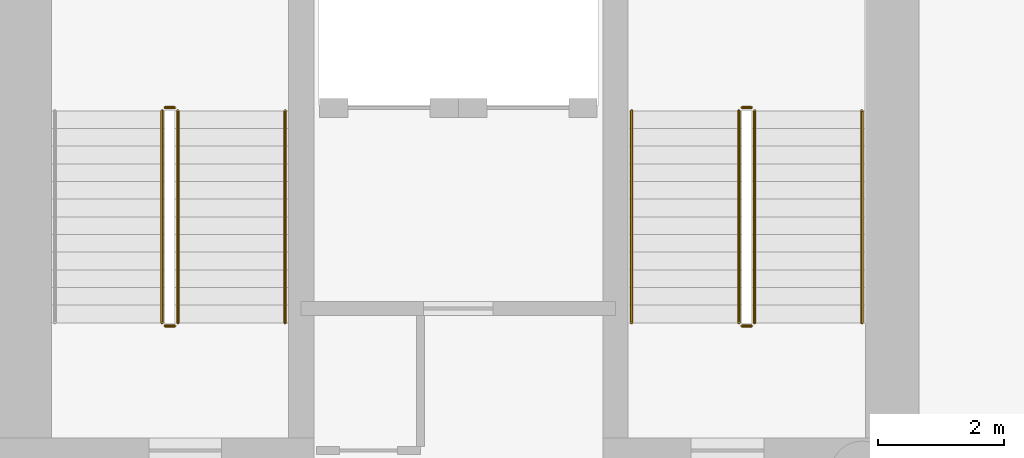
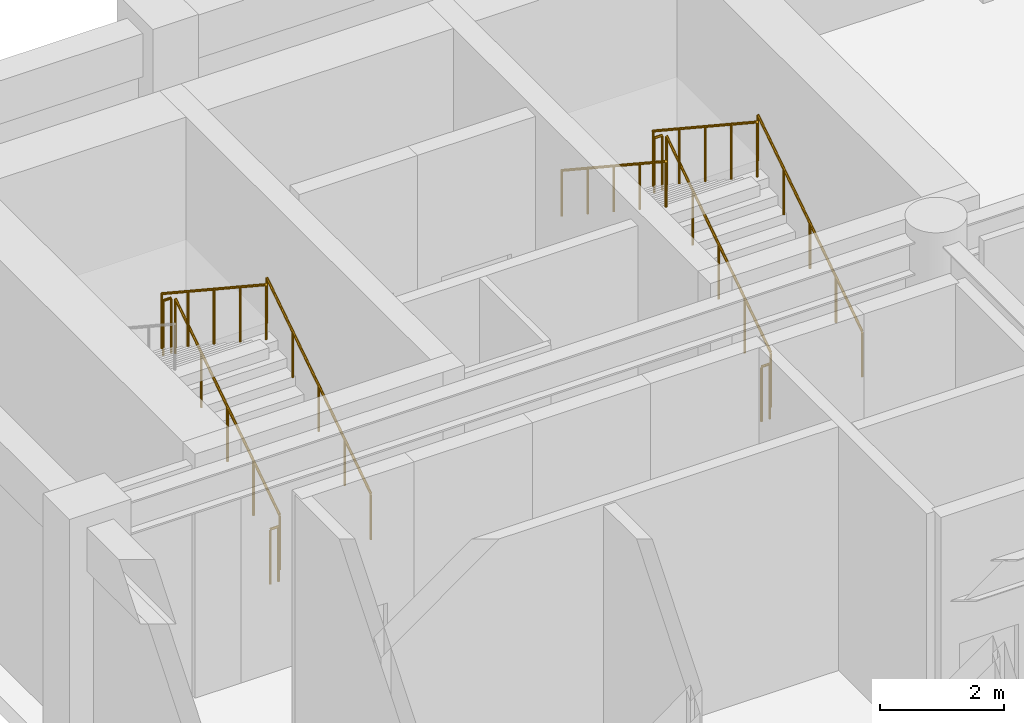
# One storey, part 9 of 10: 11 railings.
"""IFC4 building model written with IfcOpenShell, lengths in metres."""

from ifc_helpers import new_model, si_unit, direction, frame, origin, origin_2d, place, context, subcontext, project, spatial, circle, extrude, material, type_object, element, save


model = new_model("IFC4")

# Units and contexts
model_context = context("Model", 3, precision=1e-05, world=origin(), true_north=direction((0.0, 1.0)))
body_context = subcontext(model_context, "Body", "Model", "MODEL_VIEW")
ifc_project = project(units=[si_unit("LENGTHUNIT", "METRE"), si_unit("AREAUNIT", "SQUARE_METRE"), si_unit("VOLUMEUNIT", "CUBIC_METRE"), si_unit("PLANEANGLEUNIT", "RADIAN"), si_unit("MASSUNIT", "GRAM", prefix="KILO")], contexts=[model_context])

# Site, building, storey
site_placement = place(None, origin())
site = spatial("IfcSite", under=ifc_project, at=site_placement, CompositionType="ELEMENT")
building_placement = place(site_placement, origin())
building = spatial("IfcBuilding", under=site, at=building_placement, Name="Sulina Concourse Tower", CompositionType="ELEMENT")
storey_placement = place(building_placement, frame((0.0, 0.0, 87.800048828125)))
storey = spatial("IfcBuildingStorey", under=building, at=storey_placement, Name="L21", CompositionType="ELEMENT", Elevation=87.800048828125)

# Railings
ifc_material_1 = material(Name="Galvanised steel railing", Category="steel")
railing_type_1 = type_object("IfcRailingType", Name="Core Stair Steel Guardrail 1150mm", PredefinedType="GUARDRAIL", material=ifc_material_1)
railing_1_placement = place(storey_placement, frame((5.554931640625, 36.375, 0.1845703125)))
element("IfcRailing", 1, at=railing_1_placement, inside=storey, type_object=railing_type_1, Name="L21 ST-1 stair guard 1", PredefinedType="GUARDRAIL", context=body_context, shape_type="SweptSolid", body=[
    extrude(circle(Radius=0.02392578125, at=origin_2d()), frame((0.0, 0.0, 1.076171875), z_axis=(0.0, 0.834876476806, 0.550437342915), x_axis=(-1.0, 0.0, 0.0)), (0.0, 0.0, 1.0), 4.024658203125),
    extrude(circle(Radius=0.02099609375, at=origin_2d()), origin(), (0.0, 0.0, 1.0), 1.052001953125),
    extrude(circle(Radius=0.02099609375, at=origin_2d()), frame((0.0, 0.840087890625, 0.5537109375)), (0.0, 0.0, 1.0), 1.052001953125),
    extrude(circle(Radius=0.02099609375, at=origin_2d()), frame((0.0, 1.68017578125, 1.107666015625)), (0.0, 0.0, 1.0), 1.052001953125),
    extrude(circle(Radius=0.02099609375, at=origin_2d()), frame((0.0, 2.52001953125, 1.66162109375)), (0.0, 0.0, 1.0), 1.052001953125),
    extrude(circle(Radius=0.02099609375, at=origin_2d()), frame((0.0, 3.360107421875, 2.21533203125)), (0.0, 0.0, 1.0), 1.052001953125),
])
railing_2_placement = place(storey_placement, frame((5.5048828125, 39.784912109375, 2.39990234375)))
element("IfcRailing", 2, at=railing_2_placement, inside=storey, type_object=railing_type_1, Name="L21 ST-1 stair guard 2", PredefinedType="GUARDRAIL", context=body_context, shape_type="SweptSolid", body=[
    extrude(circle(Radius=0.02392578125, at=origin_2d()), frame((0.0, 0.0, 1.076171875), z_axis=(-1.0, 0.0, 0.0), x_axis=(0.0, -1.0, 0.0)), (0.0, 0.0, 1.0), 0.14990234375),
    extrude(circle(Radius=0.02099609375, at=origin_2d()), origin(), (0.0, 0.0, 1.0), 1.052001953125),
    extrude(circle(Radius=0.02099609375, at=origin_2d()), frame((-0.14990234375, 0.0, 0.0)), (0.0, 0.0, 1.0), 1.052001953125),
])
railing_3_placement = place(storey_placement, frame((5.304931640625, 39.735107421875, 2.58447265625)))
element("IfcRailing", 3, at=railing_3_placement, inside=storey, type_object=railing_type_1, Name="L21 ST-1 stair guard 3", PredefinedType="GUARDRAIL", context=body_context, shape_type="SweptSolid", body=[
    extrude(circle(Radius=0.02392578125, at=origin_2d()), frame((0.0, 0.0, 1.076171875), z_axis=(0.0, -0.834848600103, 0.550479622607), x_axis=(1.0, 0.0, 0.0)), (0.0, 0.0, 1.0), 4.02490234375),
    extrude(circle(Radius=0.02099609375, at=origin_2d()), origin(), (0.0, 0.0, 1.0), 1.052001953125),
    extrude(circle(Radius=0.02099609375, at=origin_2d()), frame((0.0, -0.840087890625, 0.553955078125)), (0.0, 0.0, 1.0), 1.052001953125),
    extrude(circle(Radius=0.02099609375, at=origin_2d()), frame((0.0, -1.68017578125, 1.10791015625)), (0.0, 0.0, 1.0), 1.052001953125),
    extrude(circle(Radius=0.02099609375, at=origin_2d()), frame((0.0, -2.52001953125, 1.66162109375)), (0.0, 0.0, 1.0), 1.052001953125),
    extrude(circle(Radius=0.02099609375, at=origin_2d()), frame((0.0, -3.360107421875, 2.215576171875)), (0.0, 0.0, 1.0), 1.052001953125),
])
railing_4_placement = place(storey_placement, frame((5.5048828125, 36.324951171875, 0.0)))
element("IfcRailing", 4, at=railing_4_placement, inside=storey, type_object=railing_type_1, Name="L21 ST-1 stair guard 4", PredefinedType="GUARDRAIL", context=body_context, shape_type="SweptSolid", body=[
    extrude(circle(Radius=0.02392578125, at=origin_2d()), frame((0.0, 0.0, 1.076171875), z_axis=(-1.0, 0.0, 0.0), x_axis=(0.0, -1.0, 0.0)), (0.0, 0.0, 1.0), 0.14990234375),
    extrude(circle(Radius=0.02099609375, at=origin_2d()), origin(), (0.0, 0.0, 1.0), 1.052001953125),
    extrude(circle(Radius=0.02099609375, at=origin_2d()), frame((-0.14990234375, 0.0, 0.0)), (0.0, 0.0, 1.0), 1.052001953125),
])
railing_5_placement = place(storey_placement, frame((14.695068359375, 36.375, 0.1845703125)))
element("IfcRailing", 5, at=railing_5_placement, inside=storey, type_object=railing_type_1, Name="L21 ST-2 stair guard 1", PredefinedType="GUARDRAIL", context=body_context, shape_type="SweptSolid", body=[
    extrude(circle(Radius=0.02392578125, at=origin_2d()), frame((0.0, 0.0, 1.076171875), z_axis=(0.0, 0.834876476806, 0.550437342915), x_axis=(-1.0, 0.0, 0.0)), (0.0, 0.0, 1.0), 4.024658203125),
    extrude(circle(Radius=0.02099609375, at=origin_2d()), origin(), (0.0, 0.0, 1.0), 1.052001953125),
    extrude(circle(Radius=0.02099609375, at=origin_2d()), frame((0.0, 0.840087890625, 0.5537109375)), (0.0, 0.0, 1.0), 1.052001953125),
    extrude(circle(Radius=0.02099609375, at=origin_2d()), frame((0.0, 1.68017578125, 1.107666015625)), (0.0, 0.0, 1.0), 1.052001953125),
    extrude(circle(Radius=0.02099609375, at=origin_2d()), frame((0.0, 2.52001953125, 1.66162109375)), (0.0, 0.0, 1.0), 1.052001953125),
    extrude(circle(Radius=0.02099609375, at=origin_2d()), frame((0.0, 3.360107421875, 2.21533203125)), (0.0, 0.0, 1.0), 1.052001953125),
])
railing_6_placement = place(storey_placement, frame((14.64501953125, 39.784912109375, 2.39990234375)))
element("IfcRailing", 6, at=railing_6_placement, inside=storey, type_object=railing_type_1, Name="L21 ST-2 stair guard 2", PredefinedType="GUARDRAIL", context=body_context, shape_type="SweptSolid", body=[
    extrude(circle(Radius=0.02392578125, at=origin_2d()), frame((0.0, 0.0, 1.076171875), z_axis=(-1.0, 0.0, 0.0), x_axis=(0.0, -1.0, 0.0)), (0.0, 0.0, 1.0), 0.14990234375),
    extrude(circle(Radius=0.02099609375, at=origin_2d()), origin(), (0.0, 0.0, 1.0), 1.052001953125),
    extrude(circle(Radius=0.02099609375, at=origin_2d()), frame((-0.14990234375, 0.0, 0.0)), (0.0, 0.0, 1.0), 1.052001953125),
])
railing_7_placement = place(storey_placement, frame((14.445068359375, 39.735107421875, 2.58447265625)))
element("IfcRailing", 7, at=railing_7_placement, inside=storey, type_object=railing_type_1, Name="L21 ST-2 stair guard 3", PredefinedType="GUARDRAIL", context=body_context, shape_type="SweptSolid", body=[
    extrude(circle(Radius=0.02392578125, at=origin_2d()), frame((0.0, 0.0, 1.076171875), z_axis=(0.0, -0.834848600103, 0.550479622607), x_axis=(1.0, 0.0, 0.0)), (0.0, 0.0, 1.0), 4.02490234375),
    extrude(circle(Radius=0.02099609375, at=origin_2d()), origin(), (0.0, 0.0, 1.0), 1.052001953125),
    extrude(circle(Radius=0.02099609375, at=origin_2d()), frame((0.0, -0.840087890625, 0.553955078125)), (0.0, 0.0, 1.0), 1.052001953125),
    extrude(circle(Radius=0.02099609375, at=origin_2d()), frame((0.0, -1.68017578125, 1.10791015625)), (0.0, 0.0, 1.0), 1.052001953125),
    extrude(circle(Radius=0.02099609375, at=origin_2d()), frame((0.0, -2.52001953125, 1.66162109375)), (0.0, 0.0, 1.0), 1.052001953125),
    extrude(circle(Radius=0.02099609375, at=origin_2d()), frame((0.0, -3.360107421875, 2.215576171875)), (0.0, 0.0, 1.0), 1.052001953125),
])
railing_8_placement = place(storey_placement, frame((14.64501953125, 36.324951171875, 0.0)))
element("IfcRailing", 8, at=railing_8_placement, inside=storey, type_object=railing_type_1, Name="L21 ST-2 stair guard 4", PredefinedType="GUARDRAIL", context=body_context, shape_type="SweptSolid", body=[
    extrude(circle(Radius=0.02392578125, at=origin_2d()), frame((0.0, 0.0, 1.076171875), z_axis=(-1.0, 0.0, 0.0), x_axis=(0.0, -1.0, 0.0)), (0.0, 0.0, 1.0), 0.14990234375),
    extrude(circle(Radius=0.02099609375, at=origin_2d()), origin(), (0.0, 0.0, 1.0), 1.052001953125),
    extrude(circle(Radius=0.02099609375, at=origin_2d()), frame((-0.14990234375, 0.0, 0.0)), (0.0, 0.0, 1.0), 1.052001953125),
])
ifc_material_2 = material(Name="Galvanised steel railing", Category="steel")
railing_type_2 = type_object("IfcRailingType", Name="Stair Wall Steel Handrail 920mm", PredefinedType="HANDRAIL", material=ifc_material_2)
for number, where, name in (
    (9, (7.2548828125, 36.375, 0.1845703125), "L21 ST-1 stair handrail 1"),
    (10, (16.39501953125, 36.375, 0.1845703125), "L21 ST-2 stair handrail 1"),
):
    element("IfcRailing", number, at=place(storey_placement, frame(where)), inside=storey, type_object=railing_type_2, Name=name, PredefinedType="HANDRAIL", context=body_context, shape_type="SweptSolid", body=[
        extrude(circle(Radius=0.02392578125, at=origin_2d()), frame((0.0, 0.0, 0.89599609375), z_axis=(0.0, 0.834876476806, 0.550437342915), x_axis=(-1.0, 0.0, 0.0)), (0.0, 0.0, 1.0), 4.024658203125),
        extrude(circle(Radius=0.02099609375, at=origin_2d()), origin(), (0.0, 0.0, 1.0), 0.871826171875),
        extrude(circle(Radius=0.02099609375, at=origin_2d()), frame((0.0, 0.840087890625, 0.5537109375)), (0.0, 0.0, 1.0), 0.871826171875),
        extrude(circle(Radius=0.02099609375, at=origin_2d()), frame((0.0, 1.68017578125, 1.107666015625)), (0.0, 0.0, 1.0), 0.871826171875),
        extrude(circle(Radius=0.02099609375, at=origin_2d()), frame((0.0, 2.52001953125, 1.66162109375)), (0.0, 0.0, 1.0), 0.871826171875),
        extrude(circle(Radius=0.02099609375, at=origin_2d()), frame((0.0, 3.360107421875, 2.21533203125)), (0.0, 0.0, 1.0), 0.871826171875),
    ])
railing_9_placement = place(storey_placement, frame((12.7451171875, 39.735107421875, 2.58447265625)))
element("IfcRailing", 11, at=railing_9_placement, inside=storey, type_object=railing_type_2, Name="L21 ST-2 stair handrail 2", PredefinedType="HANDRAIL", context=body_context, shape_type="SweptSolid", body=[
    extrude(circle(Radius=0.02392578125, at=origin_2d()), frame((0.0, 0.0, 0.89599609375), z_axis=(0.0, -0.834848600103, 0.550479622607), x_axis=(1.0, 0.0, 0.0)), (0.0, 0.0, 1.0), 4.02490234375),
    extrude(circle(Radius=0.02099609375, at=origin_2d()), origin(), (0.0, 0.0, 1.0), 0.871826171875),
    extrude(circle(Radius=0.02099609375, at=origin_2d()), frame((0.0, -0.840087890625, 0.553955078125)), (0.0, 0.0, 1.0), 0.871826171875),
    extrude(circle(Radius=0.02099609375, at=origin_2d()), frame((0.0, -1.68017578125, 1.10791015625)), (0.0, 0.0, 1.0), 0.871826171875),
    extrude(circle(Radius=0.02099609375, at=origin_2d()), frame((0.0, -2.52001953125, 1.66162109375)), (0.0, 0.0, 1.0), 0.871826171875),
    extrude(circle(Radius=0.02099609375, at=origin_2d()), frame((0.0, -3.360107421875, 2.215576171875)), (0.0, 0.0, 1.0), 0.871826171875),
])

save(model, "model.ifc")
